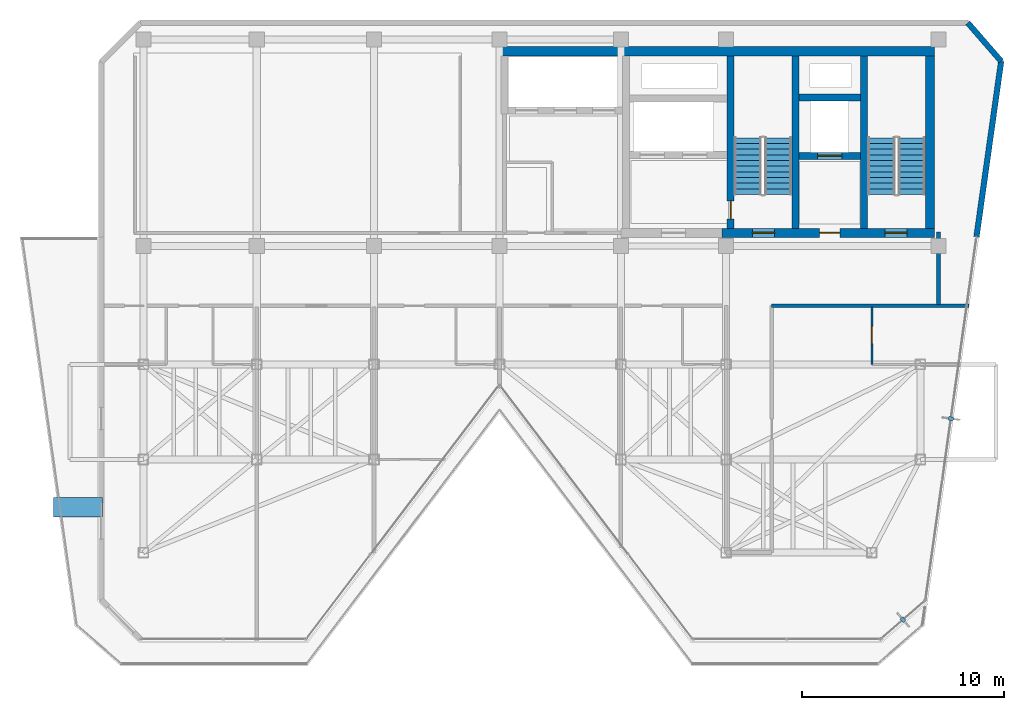
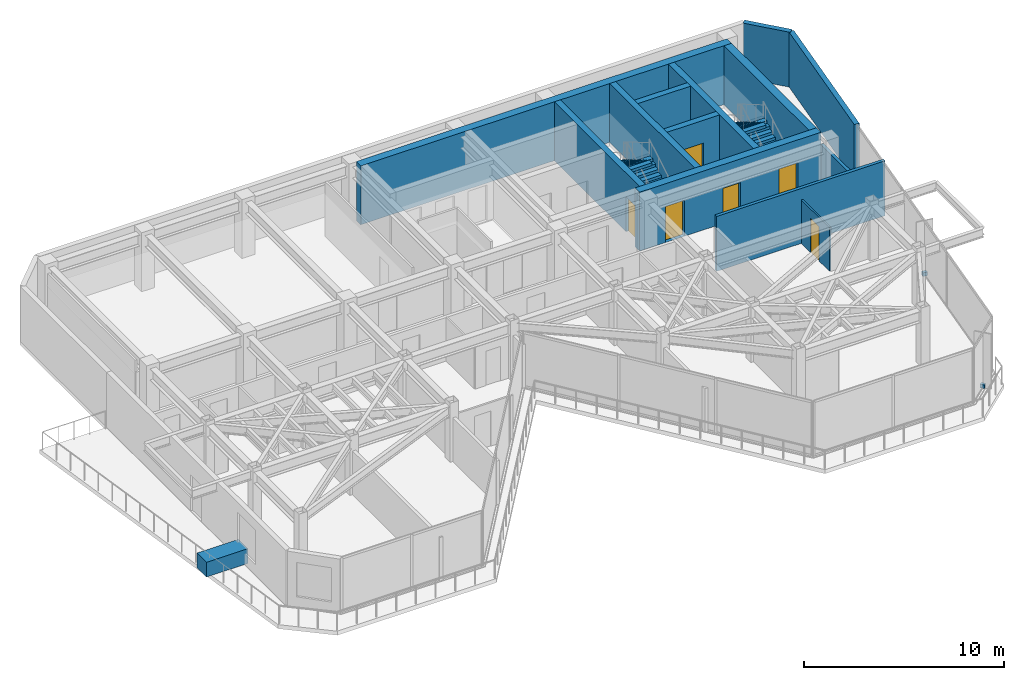
# One storey, part 18 of 20: 13 walls, 6 doors, 4 stair flights, 3 discrete accessories, 6 openings, 2 elements without a shape of their own.
"""IFC4 building model written with IfcOpenShell, lengths in metres."""

from ifc_helpers import new_model, si_unit, direction, frame, frame_2d, origin, origin_2d, place, context, subcontext, project, spatial, polyline, rectangle, outline, extrude, material, layer, layer_set, type_object, element, fill, aggregate, save


model = new_model("IFC4")

# Units and contexts
model_context = context("Model", 3, precision=1e-05, world=origin(), true_north=direction((0.0, 1.0)))
body_context = subcontext(model_context, "Body", "Model", "MODEL_VIEW")
ifc_project = project(units=[si_unit("LENGTHUNIT", "METRE"), si_unit("AREAUNIT", "SQUARE_METRE"), si_unit("VOLUMEUNIT", "CUBIC_METRE"), si_unit("PLANEANGLEUNIT", "RADIAN"), si_unit("MASSUNIT", "GRAM", prefix="KILO")], contexts=[model_context])

# Site, building, storey
site_placement = place(None, origin())
site = spatial("IfcSite", under=ifc_project, at=site_placement, CompositionType="ELEMENT")
building_placement = place(site_placement, origin())
building = spatial("IfcBuilding", under=site, at=building_placement, Name="Kravanh Interchange Tower", CompositionType="ELEMENT")
storey_placement = place(building_placement, frame((0.0, 0.0, 245.39990234375)))
storey = spatial("IfcBuildingStorey", under=building, at=storey_placement, Name="L59", CompositionType="ELEMENT", Elevation=245.39990234375)

# Walls
ifc_material_1 = material(Name="Concrete C60/75", Category="concrete")
ifc_layer_1 = layer(ifc_material_1, 0.35009765625)
ifc_layer_set_1 = layer_set([ifc_layer_1], Name="Core Shear Wall Concrete C60/75 350mm")
wall_type_1 = type_object("IfcWallType", Name="Core Shear Wall Concrete C60/75 350mm", PredefinedType="SHEAR", material=ifc_layer_set_1)
for number, where, z_axis, x_axis, name in (
    (1, (62.824951171875, 38.22509765625, 0.0), (0.0, 0.0, 1.0), (0.0, 1.0, 0.0), "L59 Stair ST1 West Shear Wall"),
    (2, (59.425048828125, 38.22509765625, 0.0), (0.0, 0.0, 1.0), (0.0, 1.0, 0.0), "L59 Stair ST2 East Shear Wall"),
):
    element("IfcWall", number, at=place(storey_placement, frame(where, z_axis=z_axis, x_axis=x_axis)), inside=storey, type_object=wall_type_1, Name=name, PredefinedType="SHEAR", context=body_context, shape_type="SweptSolid", body=[
        extrude(rectangle(XDim=8.52490234375, YDim=0.35009765625, at=frame_2d((4.262451171875, 0.0))), origin(), (0.0, 0.0, 1.0), 3.60009765625),
    ])

# Wall, opening, door
wall_1_placement = place(storey_placement, frame((56.22509765625, 38.22509765625, 0.0), z_axis=(0.0, 0.0, 1.0), x_axis=(0.0, 1.0, 0.0)))
wall_1 = element("IfcWall", 3, at=wall_1_placement, inside=storey, type_object=wall_type_1, Name="L59 Stair ST2 West Shear Wall", PredefinedType="SHEAR", context=body_context, shape_type="SweptSolid", body=[
    extrude(rectangle(XDim=8.52490234375, YDim=0.35009765625, at=frame_2d((4.262451171875, 0.0))), origin(), (0.0, 0.0, 1.0), 3.60009765625),
])
opening_1_placement = place(wall_1_placement, frame((0.455078125, 0.0, 0.0)))
opening_1 = element("IfcOpeningElement", 4, at=opening_1_placement, cuts=wall_1, Name="Opening D-STAIR-90", PredefinedType="OPENING", context=body_context, shape_type="SweptSolid", body=[
    extrude(rectangle(XDim=0.89990234375, YDim=2.14990234375, at=frame_2d((0.449951171875, 1.074951171875))), frame((0.0, 0.18505859375, 0.0), z_axis=(0.0, -1.0, 0.0), x_axis=(1.0, 0.0, 0.0)), (0.0, 0.0, 1.0), 0.3701171875),
])
ifc_material_2 = material(Name="Structural Steel S355", Category="steel")
door_type_1 = type_object("IfcDoorType", Name="Fire-Rated Stair Lobby Door 900x2150", OperationType="NOTDEFINED", PredefinedType="DOOR", material=ifc_material_2)
door_1_placement = place(opening_1_placement, origin())
door_1 = element("IfcDoor", 5, at=door_1_placement, inside=storey, type_object=door_type_1, Name="L59 Firefighting Lobby to Stair ST2 Door", OperationType="SINGLE_SWING_LEFT", OverallHeight=2.14990234375, OverallWidth=0.89990234375, PredefinedType="DOOR", context=body_context, shape_type="SweptSolid", body=[
    extrude(rectangle(XDim=0.89990234375, YDim=2.14990234375, at=frame_2d((0.449951171875, 1.074951171875))), frame((0.0, 0.02490234375, 0.0), z_axis=(0.0, -1.0, 0.0), x_axis=(1.0, 0.0, 0.0)), (0.0, 0.0, 1.0), 0.050048828125),
])
fill(opening_1, door_1)

wall_2_placement = place(storey_placement, frame((59.60009765625, 41.800048828125, 0.0), z_axis=(0.0, 0.0, 1.0), x_axis=(1.0, 0.0, 0.0)))
wall_2 = element("IfcWall", 6, at=wall_2_placement, inside=storey, type_object=wall_type_1, Name="L59 Service Lift Shaft South Wall", PredefinedType="SHEAR", context=body_context, shape_type="SweptSolid", body=[
    extrude(rectangle(XDim=3.0498046875, YDim=0.35009765625, at=frame_2d((1.52490234375, 0.0))), origin(), (0.0, 0.0, 1.0), 3.60009765625),
])
opening_2_placement = place(wall_2_placement, frame((0.919921875, 0.0, 0.0)))
opening_2 = element("IfcOpeningElement", 7, at=opening_2_placement, cuts=wall_2, Name="Opening LD02", PredefinedType="OPENING", context=body_context, shape_type="SweptSolid", body=[
    extrude(rectangle(XDim=1.199951171875, YDim=2.199951171875, at=frame_2d((0.60009765625, 1.10009765625))), frame((0.0, 0.18505859375, 0.0), z_axis=(0.0, -1.0, 0.0), x_axis=(1.0, 0.0, 0.0)), (0.0, 0.0, 1.0), 0.3701171875),
])
ifc_material_3 = material(Name="Stainless Steel 316", Category="steel")
door_type_2 = type_object("IfcDoorType", Name="Fire and Service Lift Sliding Landing Door 1200x2200", OperationType="DOUBLE_DOOR_SLIDING", PredefinedType="DOOR", material=ifc_material_3)
door_2_placement = place(opening_2_placement, origin())
door_2 = element("IfcDoor", 8, at=door_2_placement, inside=storey, type_object=door_type_2, Name="L59 Lift LS-01 Landing Door", OperationType="DOUBLE_DOOR_SLIDING", OverallHeight=2.199951171875, OverallWidth=1.199951171875, PredefinedType="DOOR", context=body_context, shape_type="SweptSolid", body=[
    extrude(rectangle(XDim=1.199951171875, YDim=2.199951171875, at=frame_2d((0.60009765625, 1.10009765625))), frame((0.0, 0.02490234375, 0.0), z_axis=(0.0, -1.0, 0.0), x_axis=(1.0, 0.0, 0.0)), (0.0, 0.0, 1.0), 0.050048828125),
])
fill(opening_2, door_2)

# Walls
wall_3_placement = place(storey_placement, frame((59.60009765625, 44.699951171875, 0.0), z_axis=(0.0, 0.0, 1.0), x_axis=(1.0, 0.0, 0.0)))
element("IfcWall", 9, at=wall_3_placement, inside=storey, type_object=wall_type_1, Name="L59 Service Lift Shaft North Wall", PredefinedType="SHEAR", context=body_context, shape_type="SweptSolid", body=[
    extrude(rectangle(XDim=3.0498046875, YDim=0.35009765625, at=frame_2d((1.52490234375, 0.0))), origin(), (0.0, 0.0, 1.0), 3.60009765625),
])
ifc_material_4 = material(Name="Concrete C60/75", Category="concrete")
ifc_layer_2 = layer(ifc_material_4, 0.449951171875)
ifc_layer_set_2 = layer_set([ifc_layer_2], Name="Core Shear Wall Concrete C60/75 450mm")
wall_type_2 = type_object("IfcWallType", Name="Core Shear Wall Concrete C60/75 450mm", PredefinedType="SHEAR", material=ifc_layer_set_2)
wall_4_placement = place(storey_placement, frame((44.85009765625, 46.97509765625, 0.0), z_axis=(0.0, 0.0, 1.0), x_axis=(1.0, 0.0, 0.0)))
element("IfcWall", 10, at=wall_4_placement, inside=storey, type_object=wall_type_2, Name="L59 North Core Shear Wall", PredefinedType="SHEAR", context=body_context, shape_type="SweptSolid", body=[
    extrude(rectangle(XDim=21.449951171875, YDim=0.449951171875, at=frame_2d((10.72509765625, 0.0))), origin(), (0.0, 0.0, 1.0), 3.60009765625),
])

# Wall, openings, doors
wall_5_placement = place(storey_placement, frame((55.800048828125, 38.0, 0.0), z_axis=(0.0, 0.0, 1.0), x_axis=(1.0, 0.0, 0.0)))
wall_5 = element("IfcWall", 11, at=wall_5_placement, inside=storey, type_object=wall_type_2, Name="L59 East Core South Shear Wall", PredefinedType="SHEAR", context=body_context, shape_type="SweptSolid", body=[
    extrude(rectangle(XDim=10.5, YDim=0.449951171875, at=frame_2d((5.25, 0.0))), origin(), (0.0, 0.0, 1.0), 3.60009765625),
])
opening_3_placement = place(wall_5_placement, frame((1.5, 0.0, 0.0)))
opening_3 = element("IfcOpeningElement", 12, at=opening_3_placement, cuts=wall_5, Name="Opening D-STAIR-110", PredefinedType="OPENING", context=body_context, shape_type="SweptSolid", body=[
    extrude(rectangle(XDim=1.10009765625, YDim=2.199951171875, at=frame_2d((0.550048828125, 1.10009765625))), frame((0.0, 0.23486328125, 0.0), z_axis=(0.0, -1.0, 0.0), x_axis=(1.0, 0.0, 0.0)), (0.0, 0.0, 1.0), 0.469970703125),
])
opening_4_placement = place(wall_5_placement, frame((4.820068359375, 0.0, 0.0)))
opening_4 = element("IfcOpeningElement", 13, at=opening_4_placement, cuts=wall_5, Name="Opening D-HOTEL-100", PredefinedType="OPENING", context=body_context, shape_type="SweptSolid", body=[
    extrude(rectangle(XDim=1.0, YDim=2.14990234375, at=frame_2d((0.5, 1.074951171875))), frame((0.0, 0.23486328125, 0.0), z_axis=(0.0, -1.0, 0.0), x_axis=(1.0, 0.0, 0.0)), (0.0, 0.0, 1.0), 0.469970703125),
])
opening_5_placement = place(wall_5_placement, frame((8.050048828125, 0.0, 0.0)))
opening_5 = element("IfcOpeningElement", 14, at=opening_5_placement, cuts=wall_5, Name="Opening D-STAIR-110", PredefinedType="OPENING", context=body_context, shape_type="SweptSolid", body=[
    extrude(rectangle(XDim=1.10009765625, YDim=2.199951171875, at=frame_2d((0.550048828125, 1.10009765625))), frame((0.0, 0.23486328125, 0.0), z_axis=(0.0, -1.0, 0.0), x_axis=(1.0, 0.0, 0.0)), (0.0, 0.0, 1.0), 0.469970703125),
])
ifc_material_5 = material(Name="Structural Steel S355", Category="steel")
door_type_3 = type_object("IfcDoorType", Name="Fire-Rated Exit Stair Door 1100x2200", OperationType="NOTDEFINED", PredefinedType="DOOR", material=ifc_material_5)
door_3_placement = place(opening_3_placement, origin())
door_3 = element("IfcDoor", 15, at=door_3_placement, inside=storey, type_object=door_type_3, Name="L59 Exit Stair ST2 Door", OperationType="SINGLE_SWING_RIGHT", OverallHeight=2.199951171875, OverallWidth=1.10009765625, PredefinedType="DOOR", context=body_context, shape_type="SweptSolid", body=[
    extrude(rectangle(XDim=1.10009765625, YDim=2.199951171875, at=frame_2d((0.550048828125, 1.10009765625))), frame((0.0, 0.02490234375, 0.0), z_axis=(0.0, -1.0, 0.0), x_axis=(1.0, 0.0, 0.0)), (0.0, 0.0, 1.0), 0.050048828125),
])
fill(opening_3, door_3)
door_4_placement = place(opening_5_placement, origin())
door_4 = element("IfcDoor", 16, at=door_4_placement, inside=storey, type_object=door_type_3, Name="L59 Exit Stair ST1 Door", OperationType="SINGLE_SWING_RIGHT", OverallHeight=2.199951171875, OverallWidth=1.10009765625, PredefinedType="DOOR", context=body_context, shape_type="SweptSolid", body=[
    extrude(rectangle(XDim=1.10009765625, YDim=2.199951171875, at=frame_2d((0.550048828125, 1.10009765625))), frame((0.0, 0.02490234375, 0.0), z_axis=(0.0, -1.0, 0.0), x_axis=(1.0, 0.0, 0.0)), (0.0, 0.0, 1.0), 0.050048828125),
])
fill(opening_5, door_4)
ifc_material_6 = material(Name="Fire-Rated Solid Timber Leaf", Category="wood")
door_type_4 = type_object("IfcDoorType", Name="Fire-Rated Suite Entrance Door 1000x2150", OperationType="NOTDEFINED", PredefinedType="DOOR", material=ifc_material_6)
door_5_placement = place(opening_4_placement, origin())
door_5 = element("IfcDoor", 17, at=door_5_placement, inside=storey, type_object=door_type_4, Name="L59 Service Lift Lobby Door", OperationType="SINGLE_SWING_RIGHT", OverallHeight=2.14990234375, OverallWidth=1.0, PredefinedType="DOOR", context=body_context, shape_type="SweptSolid", body=[
    extrude(rectangle(XDim=1.0, YDim=2.14990234375, at=frame_2d((0.5, 1.074951171875))), frame((0.0, 0.02490234375, 0.0), z_axis=(0.0, -1.0, 0.0), x_axis=(1.0, 0.0, 0.0)), (0.0, 0.0, 1.0), 0.050048828125),
])
fill(opening_4, door_5)

# Wall
wall_6_placement = place(storey_placement, frame((66.074951171875, 38.22509765625, 0.0), z_axis=(0.0, 0.0, 1.0), x_axis=(0.0, 1.0, 0.0)))
element("IfcWall", 18, at=wall_6_placement, inside=storey, type_object=wall_type_2, Name="L59 Stair ST1 East Shear Wall", PredefinedType="SHEAR", context=body_context, shape_type="SweptSolid", body=[
    extrude(rectangle(XDim=8.52490234375, YDim=0.449951171875, at=frame_2d((4.262451171875, 0.0))), origin(), (0.0, 0.0, 1.0), 3.60009765625),
])

# Wall, opening, door
ifc_material_7 = material(Name="Moisture-Resistant Gypsum Board and Mineral Wool")
ifc_layer_3 = layer(ifc_material_7, 0.10009765625)
ifc_layer_set_3 = layer_set([ifc_layer_3], Name="En-Suite Moisture-Resistant Partition 100mm")
wall_type_3 = type_object("IfcWallType", Name="En-Suite Moisture-Resistant Partition 100mm", PredefinedType="PARTITIONING", material=ifc_layer_set_3)
wall_7_placement = place(storey_placement, frame((63.199951171875, 31.5, 0.0), z_axis=(0.0, 0.0, 1.0), x_axis=(0.0, 1.0, 0.0)))
wall_7 = element("IfcWall", 19, at=wall_7_placement, inside=storey, type_object=wall_type_3, Name="L59 Interior Partition 17", PredefinedType="PARTITIONING", context=body_context, shape_type="SweptSolid", body=[
    extrude(rectangle(XDim=2.83203125, YDim=0.10009765625, at=frame_2d((1.416015625, 0.0))), origin(), (0.0, 0.0, 1.0), 2.6640625),
])
opening_6_placement = place(wall_7_placement, frame((1.02490234375, 0.0, 0.0)))
opening_6 = element("IfcOpeningElement", 20, at=opening_6_placement, cuts=wall_7, Name="Opening D-85", PredefinedType="OPENING", context=body_context, shape_type="SweptSolid", body=[
    extrude(rectangle(XDim=0.85009765625, YDim=2.10009765625, at=frame_2d((0.425048828125, 1.050048828125))), frame((0.0, 0.06005859375, 0.0), z_axis=(0.0, -1.0, 0.0), x_axis=(1.0, 0.0, 0.0)), (0.0, 0.0, 1.0), 0.1201171875),
])
ifc_material_8 = material(Name="Engineered Teak Veneer Timber", Category="wood")
door_type_5 = type_object("IfcDoorType", Name="En-Suite Timber Door 850x2100", OperationType="NOTDEFINED", PredefinedType="DOOR", material=ifc_material_8)
door_6_placement = place(opening_6_placement, origin())
door_6 = element("IfcDoor", 21, at=door_6_placement, inside=storey, type_object=door_type_5, Name="L59 En-suite Bathroom Door", OperationType="SINGLE_SWING_LEFT", OverallHeight=2.10009765625, OverallWidth=0.85009765625, PredefinedType="DOOR", context=body_context, shape_type="SweptSolid", body=[
    extrude(rectangle(XDim=0.85009765625, YDim=2.10009765625, at=frame_2d((0.425048828125, 1.050048828125))), frame((0.0, 0.02490234375, 0.0), z_axis=(0.0, -1.0, 0.0), x_axis=(1.0, 0.0, 0.0)), (0.0, 0.0, 1.0), 0.050048828125),
])
fill(opening_6, door_6)

# Walls
ifc_material_9 = material(Name="Insulated Precast Concrete C40/50 with Bronze Cladding", Category="concrete")
ifc_layer_4 = layer(ifc_material_9, 0.280029296875)
ifc_layer_set_4 = layer_set([ifc_layer_4], Name="Exterior Insulated Concrete C40/50 Bronze Spandrel Wall 280mm")
wall_type_4 = type_object("IfcWallType", Name="Exterior Insulated Concrete C40/50 Bronze Spandrel Wall 280mm", PredefinedType="STANDARD", material=ifc_layer_set_4)
wall_8_placement = place(storey_placement, frame((67.9453125, 48.3798828125, 0.0), z_axis=(0.0, 0.0, 1.0), x_axis=(0.656068147197, -0.75470165379, 0.0)))
element("IfcWall", 22, at=wall_8_placement, inside=storey, type_object=wall_type_4, Name="L59 Exterior Wall 5", PredefinedType="STANDARD", context=body_context, shape_type="SweptSolid", body=[
    extrude(rectangle(XDim=2.514892578125, YDim=0.280029296875, at=frame_2d((1.25732421875, 0.0))), origin(), (0.0, 0.0, 1.0), 3.360107421875),
])
wall_9_placement = place(storey_placement, frame((69.59521484375, 46.48193359375, 0.0), z_axis=(0.0, 0.0, 1.0), x_axis=(-0.139179310088, -0.990267196086, 0.0)))
element("IfcWall", 23, at=wall_9_placement, inside=storey, type_object=wall_type_4, Name="L59 Exterior Wall 6", PredefinedType="STANDARD", context=body_context, shape_type="SweptSolid", body=[
    extrude(rectangle(XDim=8.767333984375, YDim=0.280029296875, at=frame_2d((4.3837890625, 0.0))), origin(), (0.0, 0.0, 1.0), 3.360107421875),
])
ifc_material_10 = material(Name="Autoclaved Aerated Concrete C30/37 Blockwork", Category="masonry")
ifc_layer_5 = layer(ifc_material_10, 0.179931640625)
ifc_layer_set_5 = layer_set([ifc_layer_5], Name="Fire-Rated Lobby and Corridor Wall Concrete C30/37 180mm")
wall_type_5 = type_object("IfcWallType", Name="Fire-Rated Lobby and Corridor Wall Concrete C30/37 180mm", PredefinedType="STANDARD", material=ifc_layer_set_5)
wall_10_placement = place(storey_placement, frame((58.25, 34.39990234375, 0.0), z_axis=(0.0, 0.0, 1.0), x_axis=(1.0, 0.0, 0.0)))
element("IfcWall", 24, at=wall_10_placement, inside=storey, type_object=wall_type_5, Name="L59 Interior Partition 9", PredefinedType="STANDARD", context=body_context, shape_type="SweptSolid", body=[
    extrude(rectangle(XDim=9.753173828125, YDim=0.179931640625, at=frame_2d((4.87646484375, 0.0))), origin(), (0.0, 0.0, 1.0), 3.360107421875),
])
wall_11_placement = place(storey_placement, frame((66.5, 34.468017578125, 0.0), z_axis=(0.0, 0.0, 1.0), x_axis=(0.0, 1.0, 0.0)))
element("IfcWall", 25, at=wall_11_placement, inside=storey, type_object=wall_type_5, Name="L59 Interior Partition 10", PredefinedType="STANDARD", context=body_context, shape_type="SweptSolid", body=[
    extrude(rectangle(XDim=3.58203125, YDim=0.179931640625, at=frame_2d((1.791015625, 0.0))), origin(), (0.0, 0.0, 1.0), 2.6640625),
])

# Stair, stair flights
ifc_material_11 = material(Name="Concrete C50/60", Category="concrete")
stair_type = type_object("IfcStairType", Name="Core Fire Exit Dogleg Stair Concrete C50/60", PredefinedType="HALF_TURN_STAIR", material=ifc_material_11)
stair_1_placement = place(storey_placement, origin())
stair_1 = element("IfcStair", 26, at=stair_1_placement, inside=storey, type_object=stair_type, Name="L59 Exit Stair ST1", PredefinedType="HALF_TURN_STAIR")
ifc_material_12 = material(Name="Precast Concrete C50/60", Category="concrete")
ifc_layer_6 = layer(ifc_material_12, 0.199951171875)
ifc_layer_set_6 = layer_set([ifc_layer_6], Name="Precast Concrete C50/60 Stair Flight 1350mm")
stair_flight_type = type_object("IfcStairFlightType", Name="Precast Concrete C50/60 Stair Flight 1350mm", PredefinedType="STRAIGHT", material=ifc_layer_set_6)
stair_flight_1_placement = place(storey_placement, frame((65.175048828125, 39.89990234375, 0.0), z_axis=(0.0, 0.0, 1.0), x_axis=(0.0, 1.0, 0.0)))
stair_flight_1 = element("IfcStairFlight", 27, at=stair_flight_1_placement, type_object=stair_flight_type, Name="ST1 flight 1", NumberOfRisers=11, NumberOfTreads=10, PredefinedType="STRAIGHT", RiserHeight=0.163636364, TreadLength=0.28, context=body_context, shape_type="SweptSolid", body=[
    extrude(outline(polyline([(0.0, 0.0), (0.0, 0.16357421875), (0.280029296875, 0.16357421875), (0.280029296875, 0.327392578125), (0.56005859375, 0.327392578125), (0.56005859375, 0.490966796875), (0.840087890625, 0.490966796875), (0.840087890625, 0.654541015625), (1.1201171875, 0.654541015625), (1.1201171875, 0.818115234375), (1.39990234375, 0.818115234375), (1.39990234375, 0.98193359375), (1.679931640625, 0.98193359375), (1.679931640625, 1.1455078125), (1.9599609375, 1.1455078125), (1.9599609375, 1.30908203125), (2.239990234375, 1.30908203125), (2.239990234375, 1.47265625), (2.52001953125, 1.47265625), (2.52001953125, 1.636474609375), (2.800048828125, 1.636474609375), (2.800048828125, 1.800048828125), (2.800048828125, 1.462646484375), (0.297119140625, 0.0), (0.0, 0.0)])), frame((0.0, 0.675048828125, 0.0), z_axis=(0.0, -1.0, 0.0), x_axis=(1.0, 0.0, 0.0)), (0.0, 0.0, 1.0), 1.35009765625),
])
stair_flight_2_placement = place(storey_placement, frame((63.675048828125, 42.699951171875, 1.800048828125), z_axis=(0.0, 0.0, 1.0), x_axis=(0.0, -1.0, 0.0)))
stair_flight_2 = element("IfcStairFlight", 28, at=stair_flight_2_placement, type_object=stair_flight_type, Name="ST1 flight 2", NumberOfRisers=11, NumberOfTreads=10, PredefinedType="STRAIGHT", RiserHeight=0.163636364, TreadLength=0.28, context=body_context, shape_type="SweptSolid", body=[
    extrude(outline(polyline([(0.0, 0.0), (0.0, 0.16357421875), (0.280029296875, 0.16357421875), (0.280029296875, 0.327392578125), (0.56005859375, 0.327392578125), (0.56005859375, 0.490966796875), (0.840087890625, 0.490966796875), (0.840087890625, 0.654541015625), (1.1201171875, 0.654541015625), (1.1201171875, 0.818115234375), (1.39990234375, 0.818115234375), (1.39990234375, 0.98193359375), (1.679931640625, 0.98193359375), (1.679931640625, 1.1455078125), (1.9599609375, 1.1455078125), (1.9599609375, 1.30908203125), (2.239990234375, 1.30908203125), (2.239990234375, 1.47265625), (2.52001953125, 1.47265625), (2.52001953125, 1.636474609375), (2.800048828125, 1.636474609375), (2.800048828125, 1.800048828125), (2.800048828125, 1.462646484375), (0.297119140625, 0.0), (0.0, 0.0)])), frame((0.0, 0.675048828125, 0.0), z_axis=(0.0, -1.0, 0.0), x_axis=(1.0, 0.0, 0.0)), (0.0, 0.0, 1.0), 1.35009765625),
])
aggregate(stair_1, [stair_flight_1, stair_flight_2])

stair_2_placement = place(storey_placement, origin())
stair_2 = element("IfcStair", 29, at=stair_2_placement, inside=storey, type_object=stair_type, Name="L59 Exit Stair ST2", PredefinedType="HALF_TURN_STAIR")
stair_flight_3_placement = place(storey_placement, frame((58.574951171875, 39.89990234375, 0.0), z_axis=(0.0, 0.0, 1.0), x_axis=(0.0, 1.0, 0.0)))
stair_flight_3 = element("IfcStairFlight", 30, at=stair_flight_3_placement, type_object=stair_flight_type, Name="ST2 flight 1", NumberOfRisers=11, NumberOfTreads=10, PredefinedType="STRAIGHT", RiserHeight=0.163636364, TreadLength=0.28, context=body_context, shape_type="SweptSolid", body=[
    extrude(outline(polyline([(0.0, 0.0), (0.0, 0.16357421875), (0.280029296875, 0.16357421875), (0.280029296875, 0.327392578125), (0.56005859375, 0.327392578125), (0.56005859375, 0.490966796875), (0.840087890625, 0.490966796875), (0.840087890625, 0.654541015625), (1.1201171875, 0.654541015625), (1.1201171875, 0.818115234375), (1.39990234375, 0.818115234375), (1.39990234375, 0.98193359375), (1.679931640625, 0.98193359375), (1.679931640625, 1.1455078125), (1.9599609375, 1.1455078125), (1.9599609375, 1.30908203125), (2.239990234375, 1.30908203125), (2.239990234375, 1.47265625), (2.52001953125, 1.47265625), (2.52001953125, 1.636474609375), (2.800048828125, 1.636474609375), (2.800048828125, 1.800048828125), (2.800048828125, 1.462646484375), (0.297119140625, 0.0), (0.0, 0.0)])), frame((0.0, 0.675048828125, 0.0), z_axis=(0.0, -1.0, 0.0), x_axis=(1.0, 0.0, 0.0)), (0.0, 0.0, 1.0), 1.35009765625),
])
stair_flight_4_placement = place(storey_placement, frame((57.074951171875, 42.699951171875, 1.800048828125), z_axis=(0.0, 0.0, 1.0), x_axis=(0.0, -1.0, 0.0)))
stair_flight_4 = element("IfcStairFlight", 31, at=stair_flight_4_placement, type_object=stair_flight_type, Name="ST2 flight 2", NumberOfRisers=11, NumberOfTreads=10, PredefinedType="STRAIGHT", RiserHeight=0.163636364, TreadLength=0.28, context=body_context, shape_type="SweptSolid", body=[
    extrude(outline(polyline([(0.0, 0.0), (0.0, 0.16357421875), (0.280029296875, 0.16357421875), (0.280029296875, 0.327392578125), (0.56005859375, 0.327392578125), (0.56005859375, 0.490966796875), (0.840087890625, 0.490966796875), (0.840087890625, 0.654541015625), (1.1201171875, 0.654541015625), (1.1201171875, 0.818115234375), (1.39990234375, 0.818115234375), (1.39990234375, 0.98193359375), (1.679931640625, 0.98193359375), (1.679931640625, 1.1455078125), (1.9599609375, 1.1455078125), (1.9599609375, 1.30908203125), (2.239990234375, 1.30908203125), (2.239990234375, 1.47265625), (2.52001953125, 1.47265625), (2.52001953125, 1.636474609375), (2.800048828125, 1.636474609375), (2.800048828125, 1.800048828125), (2.800048828125, 1.462646484375), (0.297119140625, 0.0), (0.0, 0.0)])), frame((0.0, 0.675048828125, 0.0), z_axis=(0.0, -1.0, 0.0), x_axis=(1.0, 0.0, 0.0)), (0.0, 0.0, 1.0), 1.35009765625),
])
aggregate(stair_2, [stair_flight_3, stair_flight_4])

# Discrete accessories
ifc_material_13 = material(Name="Stainless Steel 316", Category="steel")
discrete_accessory_type_1 = type_object("IfcDiscreteAccessoryType", Name="Solar Fin Curtain-Wall Mounting Bracket Stainless 316", PredefinedType="BRACKET", material=ifc_material_13)
for number, where, z_axis, x_axis, name in (
    (32, (67.113037109375, 28.82080078125, 0.0), (0.0, 0.0, 1.0), (0.990267667452, -0.139175956253, 0.0), "L59 Solar Fin Mounting Bracket 1"),
    (33, (64.745849609375, 18.880859375, 0.0), (0.0, 0.0, 1.0), (0.656059788471, -0.754708920016, 0.0), "L59 Solar Fin Mounting Bracket 2"),
):
    element("IfcDiscreteAccessory", number, at=place(storey_placement, frame(where, z_axis=z_axis, x_axis=x_axis)), inside=storey, type_object=discrete_accessory_type_1, Name=name, PredefinedType="BRACKET", context=body_context, shape_type="SweptSolid", body=[
        extrude(rectangle(XDim=0.239990234375, YDim=0.179931640625, at=origin_2d()), origin(), (0.0, 0.0, 1.0), 0.219970703125),
    ])
ifc_material_14 = material(Name="Architectural GRC Concrete C40/50 with Root Barrier", Category="concrete")
discrete_accessory_type_2 = type_object("IfcDiscreteAccessoryType", Name="Stepped Terrace Tree Planter Box Concrete C40/50 2400x950x900", PredefinedType="USERDEFINED", material=ifc_material_14)
discrete_accessory_placement = place(storey_placement, frame((23.970947265625, 24.44189453125, 0.000244140625), z_axis=(0.0, 0.0, 1.0), x_axis=(1.0, 0.0, 0.0)))
element("IfcDiscreteAccessory", 34, at=discrete_accessory_placement, inside=storey, type_object=discrete_accessory_type_2, Name="L59 Stepped Terrace TREE PLANTER 1", ObjectType="PLANTER", PredefinedType="USERDEFINED", context=body_context, shape_type="SweptSolid", body=[
    extrude(rectangle(XDim=2.39990234375, YDim=0.949951171875, at=origin_2d()), origin(), (0.0, 0.0, 1.0), 0.89990234375),
])

save(model, "model.ifc")
